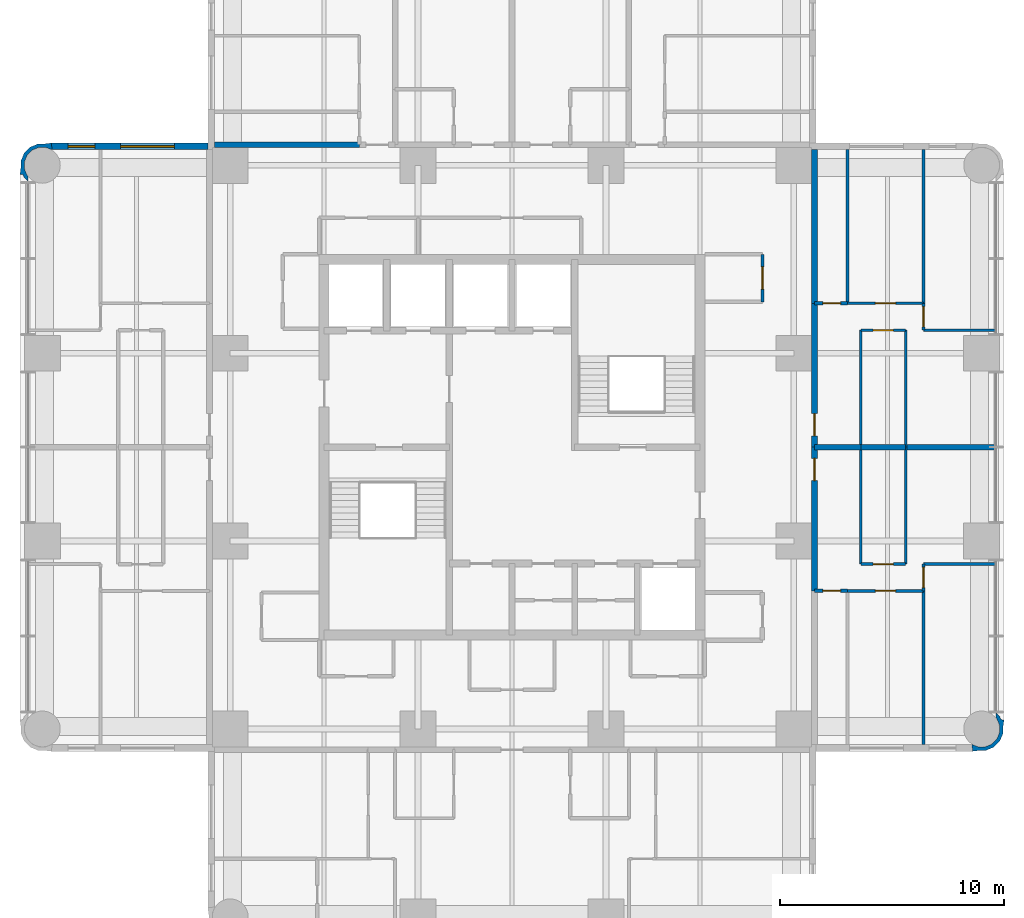
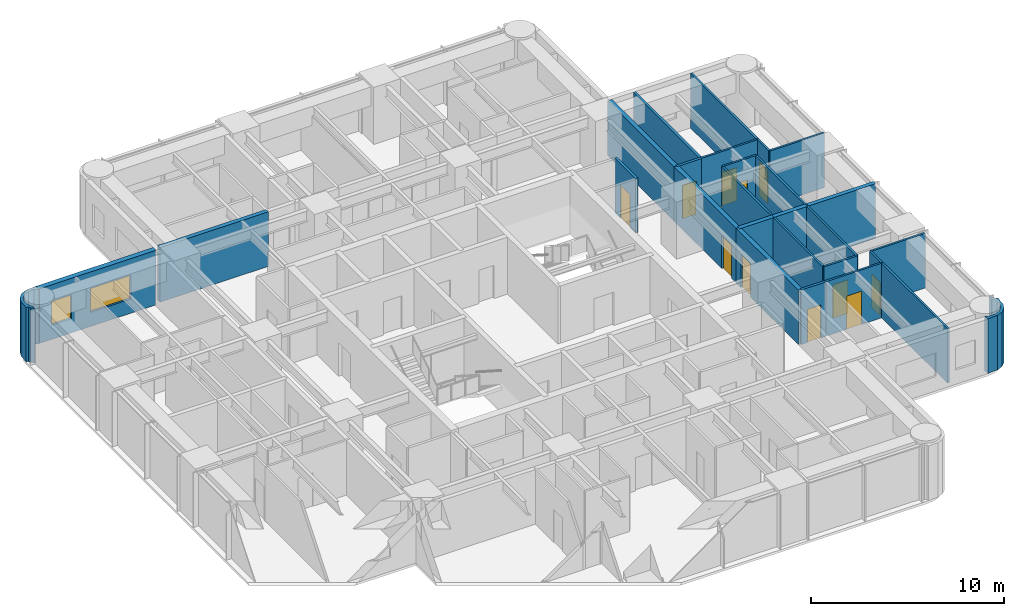
# One storey, part 7 of 10: 28 walls, 11 doors, 2 windows, 13 openings.
"""IFC4 building model written with IfcOpenShell, lengths in metres."""

from ifc_helpers import new_model, si_unit, direction, frame, frame_2d, origin, place, context, subcontext, project, spatial, polyline, rectangle, outline, extrude, material, layer, layer_set, type_object, element, fill, save


model = new_model("IFC4")

# Units and contexts
model_context = context("Model", 3, precision=1e-05, world=origin(), true_north=direction((0.0, 1.0)))
body_context = subcontext(model_context, "Body", "Model", "MODEL_VIEW")
ifc_project = project(units=[si_unit("LENGTHUNIT", "METRE"), si_unit("AREAUNIT", "SQUARE_METRE"), si_unit("VOLUMEUNIT", "CUBIC_METRE"), si_unit("PLANEANGLEUNIT", "RADIAN"), si_unit("MASSUNIT", "GRAM", prefix="KILO")], contexts=[model_context])

# Site, building, storey
site_placement = place(None, origin())
site = spatial("IfcSite", under=ifc_project, at=site_placement, CompositionType="ELEMENT")
building_placement = place(site_placement, origin())
building = spatial("IfcBuilding", under=site, at=building_placement, Name="Torre Alcanfor", CompositionType="ELEMENT")
storey_placement = place(building_placement, frame((0.0, 0.0, 257.699951171875)))
storey = spatial("IfcBuildingStorey", under=building, at=storey_placement, Name="L67", CompositionType="ELEMENT", Elevation=257.699951171875)

# Wall
ifc_material_1 = material(Name="Concrete block masonry, hollow blocks NMX-C-404 9 MPa", Category="masonry")
ifc_layer_1 = layer(ifc_material_1, 0.25)
ifc_layer_set_1 = layer_set([ifc_layer_1], Name="Apartment entrance wall 250 EI 60")
wall_type_1 = type_object("IfcWallType", Name="Apartment entrance wall 250 EI 60", PredefinedType="PARTITIONING", material=ifc_layer_set_1)
wall_1_placement = place(storey_placement, frame((16.10009765625, 42.925048828125, 0.0), z_axis=(0.0, 0.0, 1.0), x_axis=(1.0, 0.0, 0.0)))
element("IfcWall", 1, at=wall_1_placement, inside=storey, type_object=wall_type_1, Name="Partition L67-CORR / L67-N1B-BATH", PredefinedType="PARTITIONING", context=body_context, shape_type="SweptSolid", body=[
    extrude(rectangle(XDim=6.470947265625, YDim=0.25, at=frame_2d((3.2353515625, 0.0))), origin(), (0.0, 0.0, 1.0), 3.449951171875),
])

# Wall, opening, door
wall_2_placement = place(storey_placement, frame((42.925048828125, 35.8291015625, 0.0), z_axis=(0.0, 0.0, 1.0), x_axis=(0.0, -1.0, 0.0)))
wall_2 = element("IfcWall", 2, at=wall_2_placement, inside=storey, type_object=wall_type_1, Name="Partition L67-CORR / L67-E1-LIVING", PredefinedType="PARTITIONING", context=body_context, shape_type="SweptSolid", body=[
    extrude(rectangle(XDim=6.42919921875, YDim=0.25, at=frame_2d((3.214599609375, 0.0))), origin(), (0.0, 0.0, 1.0), 3.449951171875),
])
opening_1_placement = place(wall_2_placement, frame((4.928955078125, 0.0, 0.0)))
opening_1 = element("IfcOpeningElement", 3, at=opening_1_placement, cuts=wall_2, Name="Opening D-A1", PredefinedType="OPENING", context=body_context, shape_type="SweptSolid", body=[
    extrude(rectangle(XDim=1.0, YDim=2.10009765625, at=frame_2d((0.5, 1.050048828125))), frame((0.0, 0.135009765625, 0.0), z_axis=(0.0, -1.0, 0.0), x_axis=(1.0, 0.0, 0.0)), (0.0, 0.0, 1.0), 0.27001953125),
])
ifc_material_2 = material(Name="Galvanised steel sheet ASTM A653", Category="steel")
door_type_1 = type_object("IfcDoorType", Name="Apartment entrance door FD60 1000x2100", OperationType="SINGLE_SWING_LEFT", PredefinedType="DOOR", material=ifc_material_2)
door_1_placement = place(opening_1_placement, origin())
door_1 = element("IfcDoor", 4, at=door_1_placement, inside=storey, type_object=door_type_1, Name="Apartment entrance L67-E1", OperationType="SINGLE_SWING_RIGHT", OverallHeight=2.10009765625, OverallWidth=1.0, PredefinedType="DOOR", context=body_context, shape_type="SweptSolid", body=[
    extrude(rectangle(XDim=1.0, YDim=2.10009765625, at=frame_2d((0.5, 1.050048828125))), frame((0.0, 0.02490234375, 0.0), z_axis=(0.0, -1.0, 0.0), x_axis=(1.0, 0.0, 0.0)), (0.0, 0.0, 1.0), 0.050048828125),
])
fill(opening_1, door_1)

# Wall
wall_3_placement = place(storey_placement, frame((42.925048828125, 42.699951171875, 0.0), z_axis=(0.0, 0.0, 1.0), x_axis=(0.0, -1.0, 0.0)))
element("IfcWall", 5, at=wall_3_placement, inside=storey, type_object=wall_type_1, Name="Partition L67-CORR / L67-E1-BATH", PredefinedType="PARTITIONING", context=body_context, shape_type="SweptSolid", body=[
    extrude(rectangle(XDim=6.870849609375, YDim=0.25, at=frame_2d((3.435546875, 0.0))), origin(), (0.0, 0.0, 1.0), 3.449951171875),
])

# Wall, opening, door
wall_4_placement = place(storey_placement, frame((42.925048828125, 29.39990234375, 0.0), z_axis=(0.0, 0.0, 1.0), x_axis=(0.0, -1.0, 0.0)))
wall_4 = element("IfcWall", 6, at=wall_4_placement, inside=storey, type_object=wall_type_1, Name="Partition L67-CORR / L67-E2-LIVING", PredefinedType="PARTITIONING", context=body_context, shape_type="SweptSolid", body=[
    extrude(rectangle(XDim=6.428955078125, YDim=0.25, at=frame_2d((3.21435546875, 0.0))), origin(), (0.0, 0.0, 1.0), 3.449951171875),
])
opening_2_placement = place(wall_4_placement, frame((0.5, 0.0, 0.0)))
opening_2 = element("IfcOpeningElement", 7, at=opening_2_placement, cuts=wall_4, Name="Opening D-A1", PredefinedType="OPENING", context=body_context, shape_type="SweptSolid", body=[
    extrude(rectangle(XDim=1.0, YDim=2.10009765625, at=frame_2d((0.5, 1.050048828125))), frame((0.0, 0.135009765625, 0.0), z_axis=(0.0, -1.0, 0.0), x_axis=(1.0, 0.0, 0.0)), (0.0, 0.0, 1.0), 0.27001953125),
])
door_2_placement = place(opening_2_placement, origin())
door_2 = element("IfcDoor", 8, at=door_2_placement, inside=storey, type_object=door_type_1, Name="Apartment entrance L67-E2", OperationType="SINGLE_SWING_LEFT", OverallHeight=2.10009765625, OverallWidth=1.0, PredefinedType="DOOR", context=body_context, shape_type="SweptSolid", body=[
    extrude(rectangle(XDim=1.0, YDim=2.10009765625, at=frame_2d((0.5, 1.050048828125))), frame((0.0, 0.02490234375, 0.0), z_axis=(0.0, -1.0, 0.0), x_axis=(1.0, 0.0, 0.0)), (0.0, 0.0, 1.0), 0.050048828125),
])
fill(opening_2, door_2)

# Wall
ifc_material_3 = material(Name="Gypsum board on steel studs", Category="steel")
ifc_layer_2 = layer(ifc_material_3, 0.1201171875)
ifc_layer_set_2 = layer_set([ifc_layer_2], Name="Apartment partition 120")
wall_type_2 = type_object("IfcWallType", Name="Apartment partition 120", PredefinedType="PARTITIONING", material=ifc_layer_set_2)
wall_5_placement = place(storey_placement, frame((47.0, 29.39990234375, 0.0), z_axis=(0.0, 0.0, 1.0), x_axis=(0.0, 1.0, 0.0)))
element("IfcWall", 9, at=wall_5_placement, inside=storey, type_object=wall_type_2, Name="Partition L67-E1-KITCHEN / L67-E1-LIVING", PredefinedType="PARTITIONING", context=body_context, shape_type="SweptSolid", body=[
    extrude(rectangle(XDim=5.22900390625, YDim=0.1201171875, at=frame_2d((2.614501953125, 0.0))), origin(), (0.0, 0.0, 1.0), 3.449951171875),
])

# Wall, opening, door
wall_6_placement = place(storey_placement, frame((47.0, 34.62890625, 0.0), z_axis=(0.0, 0.0, 1.0), x_axis=(-1.0, 0.0, 0.0)))
wall_6 = element("IfcWall", 10, at=wall_6_placement, inside=storey, type_object=wall_type_2, Name="Partition L67-E1-KITCHEN / L67-E1-LIVING", PredefinedType="PARTITIONING", context=body_context, shape_type="SweptSolid", body=[
    extrude(rectangle(XDim=2.0, YDim=0.1201171875, at=frame_2d((1.0, 0.0))), origin(), (0.0, 0.0, 1.0), 3.449951171875),
])
opening_3_placement = place(wall_6_placement, frame((0.550048828125, 0.0, 0.0)))
opening_3 = element("IfcOpeningElement", 11, at=opening_3_placement, cuts=wall_6, Name="Opening D-R1", PredefinedType="OPENING", context=body_context, shape_type="SweptSolid", body=[
    extrude(rectangle(XDim=0.89990234375, YDim=2.10009765625, at=frame_2d((0.449951171875, 1.050048828125))), frame((0.0, 0.070068359375, 0.0), z_axis=(0.0, -1.0, 0.0), x_axis=(1.0, 0.0, 0.0)), (0.0, 0.0, 1.0), 0.14013671875),
])
ifc_material_4 = material(Name="Timber", Category="wood")
door_type_2 = type_object("IfcDoorType", Name="Internal door 900x2100", OperationType="SINGLE_SWING_LEFT", PredefinedType="DOOR", material=ifc_material_4)
door_3_placement = place(opening_3_placement, origin())
door_3 = element("IfcDoor", 12, at=door_3_placement, inside=storey, type_object=door_type_2, Name="Door L67-E1 kitchen", OperationType="SINGLE_SWING_LEFT", OverallHeight=2.10009765625, OverallWidth=0.89990234375, PredefinedType="DOOR", context=body_context, shape_type="SweptSolid", body=[
    extrude(rectangle(XDim=0.89990234375, YDim=2.10009765625, at=frame_2d((0.449951171875, 1.050048828125))), frame((0.0, 0.02490234375, 0.0), z_axis=(0.0, -1.0, 0.0), x_axis=(1.0, 0.0, 0.0)), (0.0, 0.0, 1.0), 0.050048828125),
])
fill(opening_3, door_3)

# Wall
wall_7_placement = place(storey_placement, frame((45.0, 34.62890625, 0.0), z_axis=(0.0, 0.0, 1.0), x_axis=(0.0, -1.0, 0.0)))
element("IfcWall", 13, at=wall_7_placement, inside=storey, type_object=wall_type_2, Name="Partition L67-E1-KITCHEN / L67-E1-LIVING", PredefinedType="PARTITIONING", context=body_context, shape_type="SweptSolid", body=[
    extrude(rectangle(XDim=5.22900390625, YDim=0.1201171875, at=frame_2d((2.614501953125, 0.0))), origin(), (0.0, 0.0, 1.0), 3.449951171875),
])

# Wall, opening, door
wall_8_placement = place(storey_placement, frame((44.39990234375, 35.8291015625, 0.0), z_axis=(0.0, 0.0, 1.0), x_axis=(1.0, 0.0, 0.0)))
wall_8 = element("IfcWall", 14, at=wall_8_placement, inside=storey, type_object=wall_type_2, Name="Partition L67-E1-LIVING / L67-E1-STUDY", PredefinedType="PARTITIONING", context=body_context, shape_type="SweptSolid", body=[
    extrude(rectangle(XDim=3.400146484375, YDim=0.1201171875, at=frame_2d((1.7001953125, 0.0))), origin(), (0.0, 0.0, 1.0), 3.449951171875),
])
opening_4_placement = place(wall_8_placement, frame((1.25, 0.0, 0.0)))
opening_4 = element("IfcOpeningElement", 15, at=opening_4_placement, cuts=wall_8, Name="Opening D-R1", PredefinedType="OPENING", context=body_context, shape_type="SweptSolid", body=[
    extrude(rectangle(XDim=0.89990234375, YDim=2.10009765625, at=frame_2d((0.449951171875, 1.050048828125))), frame((0.0, 0.070068359375, 0.0), z_axis=(0.0, -1.0, 0.0), x_axis=(1.0, 0.0, 0.0)), (0.0, 0.0, 1.0), 0.14013671875),
])
door_4_placement = place(opening_4_placement, origin())
door_4 = element("IfcDoor", 16, at=door_4_placement, inside=storey, type_object=door_type_2, Name="Door L67-E1 study", OperationType="SINGLE_SWING_LEFT", OverallHeight=2.10009765625, OverallWidth=0.89990234375, PredefinedType="DOOR", context=body_context, shape_type="SweptSolid", body=[
    extrude(rectangle(XDim=0.89990234375, YDim=2.10009765625, at=frame_2d((0.449951171875, 1.050048828125))), frame((0.0, 0.02490234375, 0.0), z_axis=(0.0, -1.0, 0.0), x_axis=(1.0, 0.0, 0.0)), (0.0, 0.0, 1.0), 0.050048828125),
])
fill(opening_4, door_4)

wall_9_placement = place(storey_placement, frame((47.800048828125, 35.8291015625, 0.0), z_axis=(0.0, 0.0, 1.0), x_axis=(0.0, -1.0, 0.0)))
wall_9 = element("IfcWall", 17, at=wall_9_placement, inside=storey, type_object=wall_type_2, Name="Partition L67-E1-LIVING / L67-E1-MASTER", PredefinedType="PARTITIONING", context=body_context, shape_type="SweptSolid", body=[
    extrude(rectangle(XDim=1.2001953125, YDim=0.1201171875, at=frame_2d((0.60009765625, 0.0))), origin(), (0.0, 0.0, 1.0), 3.449951171875),
])
opening_5_placement = place(wall_9_placement, frame((0.14892578125, 0.0, 0.0)))
opening_5 = element("IfcOpeningElement", 18, at=opening_5_placement, cuts=wall_9, Name="Opening D-R1", PredefinedType="OPENING", context=body_context, shape_type="SweptSolid", body=[
    extrude(rectangle(XDim=0.89990234375, YDim=2.10009765625, at=frame_2d((0.449951171875, 1.050048828125))), frame((0.0, 0.070068359375, 0.0), z_axis=(0.0, -1.0, 0.0), x_axis=(1.0, 0.0, 0.0)), (0.0, 0.0, 1.0), 0.14013671875),
])
door_5_placement = place(opening_5_placement, origin())
door_5 = element("IfcDoor", 19, at=door_5_placement, inside=storey, type_object=door_type_2, Name="Door L67-E1 master", OperationType="SINGLE_SWING_RIGHT", OverallHeight=2.10009765625, OverallWidth=0.89990234375, PredefinedType="DOOR", context=body_context, shape_type="SweptSolid", body=[
    extrude(rectangle(XDim=0.89990234375, YDim=2.10009765625, at=frame_2d((0.449951171875, 1.050048828125))), frame((0.0, 0.02490234375, 0.0), z_axis=(0.0, -1.0, 0.0), x_axis=(1.0, 0.0, 0.0)), (0.0, 0.0, 1.0), 0.050048828125),
])
fill(opening_5, door_5)

# Walls
wall_10_placement = place(storey_placement, frame((47.800048828125, 34.62890625, 0.0), z_axis=(0.0, 0.0, 1.0), x_axis=(1.0, 0.0, 0.0)))
element("IfcWall", 20, at=wall_10_placement, inside=storey, type_object=wall_type_2, Name="Partition L67-E1-LIVING / L67-E1-MASTER", PredefinedType="PARTITIONING", context=body_context, shape_type="SweptSolid", body=[
    extrude(rectangle(XDim=3.25, YDim=0.1201171875, at=frame_2d((1.625, 0.0))), origin(), (0.0, 0.0, 1.0), 3.449951171875),
])
wall_11_placement = place(storey_placement, frame((47.800048828125, 35.8291015625, 0.0), z_axis=(0.0, 0.0, 1.0), x_axis=(0.0, 1.0, 0.0)))
element("IfcWall", 21, at=wall_11_placement, inside=storey, type_object=wall_type_2, Name="Partition L67-E1-STUDY / L67-E1-MASTER", PredefinedType="PARTITIONING", context=body_context, shape_type="SweptSolid", body=[
    extrude(rectangle(XDim=6.870849609375, YDim=0.1201171875, at=frame_2d((3.435546875, 0.0))), origin(), (0.0, 0.0, 1.0), 3.449951171875),
])
wall_12_placement = place(storey_placement, frame((47.0, 29.39990234375, 0.0), z_axis=(0.0, 0.0, 1.0), x_axis=(0.0, -1.0, 0.0)))
element("IfcWall", 22, at=wall_12_placement, inside=storey, type_object=wall_type_2, Name="Partition L67-E2-KITCHEN / L67-E2-LIVING", PredefinedType="PARTITIONING", context=body_context, shape_type="SweptSolid", body=[
    extrude(rectangle(XDim=5.22900390625, YDim=0.1201171875, at=frame_2d((2.614501953125, 0.0))), origin(), (0.0, 0.0, 1.0), 3.449951171875),
])

# Wall, opening, door
wall_13_placement = place(storey_placement, frame((47.0, 24.1708984375, 0.0), z_axis=(0.0, 0.0, 1.0), x_axis=(-1.0, 0.0, 0.0)))
wall_13 = element("IfcWall", 23, at=wall_13_placement, inside=storey, type_object=wall_type_2, Name="Partition L67-E2-KITCHEN / L67-E2-LIVING", PredefinedType="PARTITIONING", context=body_context, shape_type="SweptSolid", body=[
    extrude(rectangle(XDim=2.0, YDim=0.1201171875, at=frame_2d((1.0, 0.0))), origin(), (0.0, 0.0, 1.0), 3.449951171875),
])
opening_6_placement = place(wall_13_placement, frame((0.550048828125, 0.0, 0.0)))
opening_6 = element("IfcOpeningElement", 24, at=opening_6_placement, cuts=wall_13, Name="Opening D-R1", PredefinedType="OPENING", context=body_context, shape_type="SweptSolid", body=[
    extrude(rectangle(XDim=0.89990234375, YDim=2.10009765625, at=frame_2d((0.449951171875, 1.050048828125))), frame((0.0, 0.070068359375, 0.0), z_axis=(0.0, -1.0, 0.0), x_axis=(1.0, 0.0, 0.0)), (0.0, 0.0, 1.0), 0.14013671875),
])
door_6_placement = place(opening_6_placement, frame((0.89990234375, 0.0, 0.0), z_axis=(0.0, 0.0, 1.0), x_axis=(-1.0, 0.0, 0.0)))
door_6 = element("IfcDoor", 25, at=door_6_placement, inside=storey, type_object=door_type_2, Name="Door L67-E2 kitchen", OperationType="SINGLE_SWING_RIGHT", OverallHeight=2.10009765625, OverallWidth=0.89990234375, PredefinedType="DOOR", context=body_context, shape_type="SweptSolid", body=[
    extrude(rectangle(XDim=0.89990234375, YDim=2.10009765625, at=frame_2d((0.449951171875, 1.050048828125))), frame((0.0, 0.025146484375, 0.0), z_axis=(0.0, -1.0, 0.0), x_axis=(1.0, 0.0, 0.0)), (0.0, 0.0, 1.0), 0.050048828125),
])
fill(opening_6, door_6)

# Wall
wall_14_placement = place(storey_placement, frame((45.0, 24.1708984375, 0.0), z_axis=(0.0, 0.0, 1.0), x_axis=(0.0, 1.0, 0.0)))
element("IfcWall", 26, at=wall_14_placement, inside=storey, type_object=wall_type_2, Name="Partition L67-E2-KITCHEN / L67-E2-LIVING", PredefinedType="PARTITIONING", context=body_context, shape_type="SweptSolid", body=[
    extrude(rectangle(XDim=5.22900390625, YDim=0.1201171875, at=frame_2d((2.614501953125, 0.0))), origin(), (0.0, 0.0, 1.0), 3.449951171875),
])

# Wall, opening, door
wall_15_placement = place(storey_placement, frame((47.800048828125, 22.970947265625, 0.0), z_axis=(0.0, 0.0, 1.0), x_axis=(-1.0, 0.0, 0.0)))
wall_15 = element("IfcWall", 27, at=wall_15_placement, inside=storey, type_object=wall_type_2, Name="Partition L67-E2-LIVING / L67-E2-STUDY", PredefinedType="PARTITIONING", context=body_context, shape_type="SweptSolid", body=[
    extrude(rectangle(XDim=3.400146484375, YDim=0.1201171875, at=frame_2d((1.7001953125, 0.0))), origin(), (0.0, 0.0, 1.0), 3.449951171875),
])
opening_7_placement = place(wall_15_placement, frame((1.25, 0.0, 0.0)))
opening_7 = element("IfcOpeningElement", 28, at=opening_7_placement, cuts=wall_15, Name="Opening D-R1", PredefinedType="OPENING", context=body_context, shape_type="SweptSolid", body=[
    extrude(rectangle(XDim=0.89990234375, YDim=2.10009765625, at=frame_2d((0.449951171875, 1.050048828125))), frame((0.0, 0.070068359375, 0.0), z_axis=(0.0, -1.0, 0.0), x_axis=(1.0, 0.0, 0.0)), (0.0, 0.0, 1.0), 0.14013671875),
])
door_7_placement = place(opening_7_placement, origin())
door_7 = element("IfcDoor", 29, at=door_7_placement, inside=storey, type_object=door_type_2, Name="Door L67-E2 study", OperationType="SINGLE_SWING_LEFT", OverallHeight=2.10009765625, OverallWidth=0.89990234375, PredefinedType="DOOR", context=body_context, shape_type="SweptSolid", body=[
    extrude(rectangle(XDim=0.89990234375, YDim=2.10009765625, at=frame_2d((0.449951171875, 1.050048828125))), frame((0.0, 0.02490234375, 0.0), z_axis=(0.0, -1.0, 0.0), x_axis=(1.0, 0.0, 0.0)), (0.0, 0.0, 1.0), 0.050048828125),
])
fill(opening_7, door_7)

# Wall
wall_16_placement = place(storey_placement, frame((51.050048828125, 24.1708984375, 0.0), z_axis=(0.0, 0.0, 1.0), x_axis=(-1.0, 0.0, 0.0)))
element("IfcWall", 30, at=wall_16_placement, inside=storey, type_object=wall_type_2, Name="Partition L67-E2-LIVING / L67-E2-MASTER", PredefinedType="PARTITIONING", context=body_context, shape_type="SweptSolid", body=[
    extrude(rectangle(XDim=3.25, YDim=0.1201171875, at=frame_2d((1.625, 0.0))), origin(), (0.0, 0.0, 1.0), 3.449951171875),
])

# Wall, opening, door
wall_17_placement = place(storey_placement, frame((47.800048828125, 24.1708984375, 0.0), z_axis=(0.0, 0.0, 1.0), x_axis=(0.0, -1.0, 0.0)))
wall_17 = element("IfcWall", 31, at=wall_17_placement, inside=storey, type_object=wall_type_2, Name="Partition L67-E2-LIVING / L67-E2-MASTER", PredefinedType="PARTITIONING", context=body_context, shape_type="SweptSolid", body=[
    extrude(rectangle(XDim=1.199951171875, YDim=0.1201171875, at=frame_2d((0.60009765625, 0.0))), origin(), (0.0, 0.0, 1.0), 3.449951171875),
])
opening_8_placement = place(wall_17_placement, frame((0.15087890625, 0.0, 0.0)))
opening_8 = element("IfcOpeningElement", 32, at=opening_8_placement, cuts=wall_17, Name="Opening D-R1", PredefinedType="OPENING", context=body_context, shape_type="SweptSolid", body=[
    extrude(rectangle(XDim=0.89990234375, YDim=2.10009765625, at=frame_2d((0.449951171875, 1.050048828125))), frame((0.0, 0.070068359375, 0.0), z_axis=(0.0, -1.0, 0.0), x_axis=(1.0, 0.0, 0.0)), (0.0, 0.0, 1.0), 0.14013671875),
])
door_8_placement = place(opening_8_placement, origin())
door_8 = element("IfcDoor", 33, at=door_8_placement, inside=storey, type_object=door_type_2, Name="Door L67-E2 master", OperationType="SINGLE_SWING_LEFT", OverallHeight=2.10009765625, OverallWidth=0.89990234375, PredefinedType="DOOR", context=body_context, shape_type="SweptSolid", body=[
    extrude(rectangle(XDim=0.89990234375, YDim=2.10009765625, at=frame_2d((0.449951171875, 1.050048828125))), frame((0.0, 0.02490234375, 0.0), z_axis=(0.0, -1.0, 0.0), x_axis=(1.0, 0.0, 0.0)), (0.0, 0.0, 1.0), 0.050048828125),
])
fill(opening_8, door_8)

# Wall
wall_18_placement = place(storey_placement, frame((47.800048828125, 22.970947265625, 0.0), z_axis=(0.0, 0.0, 1.0), x_axis=(0.0, -1.0, 0.0)))
element("IfcWall", 34, at=wall_18_placement, inside=storey, type_object=wall_type_2, Name="Partition L67-E2-STUDY / L67-E2-MASTER", PredefinedType="PARTITIONING", context=body_context, shape_type="SweptSolid", body=[
    extrude(rectangle(XDim=6.870849609375, YDim=0.1201171875, at=frame_2d((3.435546875, 0.0))), origin(), (0.0, 0.0, 1.0), 3.449951171875),
])

# Wall, openings, windows
ifc_material_5 = material(Name="Limestone cladding", Category="masonry")
ifc_layer_3 = layer(ifc_material_5, 0.0400390625, Name="Facing")
ifc_material_6 = material(Name="Ventilated air cavity")
ifc_layer_4 = layer(ifc_material_6, 0.02001953125, ventilated=True, Name="Ventilated joint")
ifc_material_7 = material(Name="Mineral wool insulation", Category="insulation")
ifc_layer_5 = layer(ifc_material_7, 0.10009765625, Name="Insulation")
ifc_material_8 = material(Name="Concrete f'c 35 MPa", Category="concrete")
ifc_layer_6 = layer(ifc_material_8, 0.139892578125, Name="Backing")
ifc_layer_set_3 = layer_set([ifc_layer_3, ifc_layer_4, ifc_layer_5, ifc_layer_6], Name="External wall stone-clad 300")
wall_type_3 = type_object("IfcWallType", Name="External wall stone-clad 300", PredefinedType="SOLIDWALL", material=ifc_layer_set_3)
wall_19_placement = place(storey_placement, frame((15.800048828125, 42.85009765625, 0.0), z_axis=(0.0, 0.0, 1.0), x_axis=(-1.0, 0.0, 0.0)))
wall_19 = element("IfcWall", 35, at=wall_19_placement, inside=storey, type_object=wall_type_3, Name="External wall L67 1", PredefinedType="SOLIDWALL", context=body_context, shape_type="SweptSolid", body=[
    extrude(rectangle(XDim=7.0, YDim=0.300048828125, at=frame_2d((3.5, 0.0))), origin(), (0.0, 0.0, 1.0), 3.449951171875),
])
opening_9_placement = place(wall_19_placement, frame((1.5, 0.0, 0.89990234375)))
opening_9 = element("IfcOpeningElement", 36, at=opening_9_placement, cuts=wall_19, Name="Opening W1", PredefinedType="OPENING", context=body_context, shape_type="SweptSolid", body=[
    extrude(rectangle(XDim=2.39990234375, YDim=1.5, at=frame_2d((1.199951171875, 0.75))), frame((0.0, 0.159912109375, 0.0), z_axis=(0.0, -1.0, 0.0), x_axis=(1.0, 0.0, 0.0)), (0.0, 0.0, 1.0), 0.320068359375),
])
opening_10_placement = place(wall_19_placement, frame((5.050048828125, 0.0, 0.89990234375)))
opening_10 = element("IfcOpeningElement", 37, at=opening_10_placement, cuts=wall_19, Name="Opening W4", PredefinedType="OPENING", context=body_context, shape_type="SweptSolid", body=[
    extrude(rectangle(XDim=1.199951171875, YDim=1.5, at=frame_2d((0.60009765625, 0.75))), frame((0.0, 0.159912109375, 0.0), z_axis=(0.0, -1.0, 0.0), x_axis=(1.0, 0.0, 0.0)), (0.0, 0.0, 1.0), 0.320068359375),
])
ifc_material_9 = material(Name="Aluminium frame with clear double glazing", Category="aluminium")
window_type_1 = type_object("IfcWindowType", Name="Window bedroom 1200x1500", PartitioningType="SINGLE_PANEL", PredefinedType="WINDOW", material=ifc_material_9)
window_1_placement = place(opening_10_placement, origin())
window_1 = element("IfcWindow", 38, at=window_1_placement, inside=storey, type_object=window_type_1, Name="Window W4 L67-W2", OverallHeight=1.5, OverallWidth=1.199951171875, PartitioningType="SINGLE_PANEL", PredefinedType="WINDOW", context=body_context, shape_type="SweptSolid", body=[
    extrude(rectangle(XDim=1.199951171875, YDim=1.5, at=frame_2d((0.60009765625, 0.75))), frame((0.0, 0.030029296875, 0.0), z_axis=(0.0, -1.0, 0.0), x_axis=(1.0, 0.0, 0.0)), (0.0, 0.0, 1.0), 0.06005859375),
])
fill(opening_10, window_1)
ifc_material_10 = material(Name="Aluminium frame with clear double glazing", Category="aluminium")
window_type_2 = type_object("IfcWindowType", Name="Window bedroom 2400x1500", PartitioningType="SINGLE_PANEL", PredefinedType="WINDOW", material=ifc_material_10)
window_2_placement = place(opening_9_placement, origin())
window_2 = element("IfcWindow", 39, at=window_2_placement, inside=storey, type_object=window_type_2, Name="Window W1 L67-W2", OverallHeight=1.5, OverallWidth=2.39990234375, PartitioningType="SINGLE_PANEL", PredefinedType="WINDOW", context=body_context, shape_type="SweptSolid", body=[
    extrude(rectangle(XDim=2.39990234375, YDim=1.5, at=frame_2d((1.199951171875, 0.75))), frame((0.0, 0.030029296875, 0.0), z_axis=(0.0, -1.0, 0.0), x_axis=(1.0, 0.0, 0.0)), (0.0, 0.0, 1.0), 0.06005859375),
])
fill(opening_9, window_2)

# Walls
ifc_material_11 = material(Name="Concrete block masonry, hollow blocks NMX-C-404 9 MPa", Category="masonry")
ifc_layer_7 = layer(ifc_material_11, 0.25)
ifc_layer_set_4 = layer_set([ifc_layer_7], Name="Party wall 250 EI 60")
wall_type_4 = type_object("IfcWallType", Name="Party wall 250 EI 60", PredefinedType="PARTITIONING", material=ifc_layer_set_4)
wall_20_placement = place(storey_placement, frame((45.0, 29.39990234375, 0.0), z_axis=(0.0, 0.0, 1.0), x_axis=(1.0, 0.0, 0.0)))
element("IfcWall", 40, at=wall_20_placement, inside=storey, type_object=wall_type_4, Name="Partition L67-E1-KITCHEN / L67-E2-KITCHEN", PredefinedType="PARTITIONING", context=body_context, shape_type="SweptSolid", body=[
    extrude(rectangle(XDim=2.0, YDim=0.25, at=frame_2d((1.0, 0.0))), origin(), (0.0, 0.0, 1.0), 3.449951171875),
])
wall_21_placement = place(storey_placement, frame((45.0, 29.39990234375, 0.0), z_axis=(0.0, 0.0, 1.0), x_axis=(-1.0, 0.0, 0.0)))
element("IfcWall", 41, at=wall_21_placement, inside=storey, type_object=wall_type_4, Name="Partition L67-E1-LIVING / L67-E2-LIVING", PredefinedType="PARTITIONING", context=body_context, shape_type="SweptSolid", body=[
    extrude(rectangle(XDim=2.074951171875, YDim=0.25, at=frame_2d((1.03759765625, 0.0))), origin(), (0.0, 0.0, 1.0), 3.449951171875),
])
wall_22_placement = place(storey_placement, frame((51.050048828125, 29.39990234375, 0.0), z_axis=(0.0, 0.0, 1.0), x_axis=(-1.0, 0.0, 0.0)))
element("IfcWall", 42, at=wall_22_placement, inside=storey, type_object=wall_type_4, Name="Partition L67-E1-LIVING / L67-E2-LIVING", PredefinedType="PARTITIONING", context=body_context, shape_type="SweptSolid", body=[
    extrude(rectangle(XDim=4.050048828125, YDim=0.25, at=frame_2d((2.02490234375, 0.0))), origin(), (0.0, 0.0, 1.0), 3.449951171875),
])

# Wall, opening, door
ifc_material_12 = material(Name="Concrete block masonry, hollow blocks NMX-C-404 9 MPa", Category="masonry")
ifc_layer_8 = layer(ifc_material_12, 0.14990234375)
ifc_layer_set_5 = layer_set([ifc_layer_8], Name="Residents' room partition 150")
wall_type_5 = type_object("IfcWallType", Name="Residents' room partition 150", PredefinedType="PARTITIONING", material=ifc_layer_set_5)
wall_23_placement = place(storey_placement, frame((40.60009765625, 35.89990234375, 0.0), z_axis=(0.0, 0.0, 1.0), x_axis=(0.0, 1.0, 0.0)))
wall_23 = element("IfcWall", 43, at=wall_23_placement, inside=storey, type_object=wall_type_5, Name="Partition L67-CORR / L67-G04", PredefinedType="PARTITIONING", context=body_context, shape_type="SweptSolid", body=[
    extrude(rectangle(XDim=2.125, YDim=0.14990234375, at=frame_2d((1.0625, 0.0))), origin(), (0.0, 0.0, 1.0), 3.449951171875),
])
opening_11_placement = place(wall_23_placement, frame((0.5625, 0.0, 0.0)))
opening_11 = element("IfcOpeningElement", 44, at=opening_11_placement, cuts=wall_23, Name="Opening D-M1", PredefinedType="OPENING", context=body_context, shape_type="SweptSolid", body=[
    extrude(rectangle(XDim=1.0, YDim=2.10009765625, at=frame_2d((0.5, 1.050048828125))), frame((0.0, 0.0849609375, 0.0), z_axis=(0.0, -1.0, 0.0), x_axis=(1.0, 0.0, 0.0)), (0.0, 0.0, 1.0), 0.169921875),
])
ifc_material_13 = material(Name="Timber", Category="wood")
door_type_3 = type_object("IfcDoorType", Name="Residents' room door 1000x2100", OperationType="SINGLE_SWING_LEFT", PredefinedType="DOOR", material=ifc_material_13)
door_9_placement = place(opening_11_placement, origin())
door_9 = element("IfcDoor", 45, at=door_9_placement, inside=storey, type_object=door_type_3, Name="Door L67-G04 residents' storage", OperationType="SINGLE_SWING_LEFT", OverallHeight=2.10009765625, OverallWidth=1.0, PredefinedType="DOOR", context=body_context, shape_type="SweptSolid", body=[
    extrude(rectangle(XDim=1.0, YDim=2.10009765625, at=frame_2d((0.5, 1.050048828125))), frame((0.0, 0.02490234375, 0.0), z_axis=(0.0, -1.0, 0.0), x_axis=(1.0, 0.0, 0.0)), (0.0, 0.0, 1.0), 0.050048828125),
])
fill(opening_11, door_9)

# Walls
ifc_layer_9 = layer(ifc_material_5, 0.0400390625, Name="Facing")
ifc_layer_10 = layer(ifc_material_6, 0.02001953125, ventilated=True, Name="Ventilated joint")
ifc_layer_11 = layer(ifc_material_7, 0.10009765625, Name="Insulation")
ifc_layer_12 = layer(ifc_material_8, 0.139892578125, Name="Backing")
ifc_layer_set_6 = layer_set([ifc_layer_9, ifc_layer_10, ifc_layer_11, ifc_layer_12], Name="Rounded corner pier stone-clad 300")
wall_type_6 = type_object("IfcWallType", Name="Rounded corner pier stone-clad 300", PredefinedType="SOLIDWALL", material=ifc_layer_set_6)
wall_24_placement = place(storey_placement, frame((8.726823795, 42.817059488, 0.0), z_axis=(0.0, 0.0, 1.0), x_axis=(-0.93923434088, 0.343276641956, 0.0)))
element("IfcWall", 46, at=wall_24_placement, inside=storey, type_object=wall_type_6, Name="Corner pier L67 13", PredefinedType="SOLIDWALL", context=body_context, shape_type="SweptSolid", body=[
    extrude(outline(polyline([(-0.1273204359478541, 0.07815108671570803), (-0.14612346718616526, 0.07127884925467534), (-0.005976261085975126, -0.196960454686753), (0.26576431145168383, -0.05501371368591472), (0.5354272960401464, 0.04354422843816394), (0.8165725387255249, 0.3020003118886595), (0.9774927572336956, 0.6483033262968827), (0.9937443740697459, 1.0298502821324707), (0.8951864319456673, 1.2995132667209333), (0.8285356236719887, 1.5985134838437192), (0.696612876757023, 1.5690129946126392), (0.604212932216139, 1.669628949899784), (0.39411408712760576, 1.7672577623943433), (0.47121723912943597, 1.5562969241108522), (0.5085614978206915, 1.5387534181262859), (0.7240569974051148, 1.3040313549513107), (0.8333423345903176, 1.0050172972103626), (0.8199911856889537, 0.6866550756681848), (0.6857808147259417, 0.39742244102510316), (0.45105875155096664, 0.18192694144068), (0.15181538855101462, 0.07255779648156209), (-0.11621252215606581, 0.08403041999840126), (-0.1273204359478541, 0.07815108671570803)])), origin(), (0.0, 0.0, 1.0), 3.449951171875),
])
wall_25_placement = place(storey_placement, frame((50.073176205, 15.982940512, 0.0), z_axis=(0.0, 0.0, 1.0), x_axis=(0.93923434088, -0.343276641956, 0.0)))
element("IfcWall", 47, at=wall_25_placement, inside=storey, type_object=wall_type_6, Name="Corner pier L67 17", PredefinedType="SOLIDWALL", context=body_context, shape_type="SweptSolid", body=[
    extrude(outline(polyline([(0.82833541791, 1.598492298676388), (0.6966419762540381, 1.569075617219223), (0.604242031713154, 1.6696915725063681), (0.3941431866246209, 1.7673203850009274), (0.47133014640036613, 1.5561302414584324), (0.5085905973177065, 1.5388160407328697), (0.7240860969021297, 1.3040939775578946), (0.8334552418612476, 1.0048506145579426), (0.8201040929598838, 0.6864883930157649), (0.6858099142229566, 0.3974850636316871), (0.4510878510479817, 0.1819895640472639), (0.15184448804802966, 0.072620419088146), (-0.11618342265905075, 0.08409304260498518), (-0.12752064170984284, 0.07812990154837691), (-0.14609436768915024, 0.07134147186125925), (-0.005947161588960068, -0.19689783208016906), (0.26556410568969513, -0.055034898853245834), (0.5354563955371614, 0.043606851044747874), (0.8166854459964551, 0.3018336292362396), (0.9776056645046255, 0.6481366436444629), (0.993857281340676, 1.0296835994800508), (0.8952155314426823, 1.299575889327517), (0.82833541791, 1.598492298676388)])), origin(), (0.0, 0.0, 1.0), 3.449951171875),
])

# Wall, opening, door
ifc_material_14 = material(Name="Cement board on steel studs", Category="steel")
ifc_layer_13 = layer(ifc_material_14, 0.14990234375)
ifc_layer_set_7 = layer_set([ifc_layer_13], Name="Wet area partition 150")
wall_type_7 = type_object("IfcWallType", Name="Wet area partition 150", PredefinedType="PARTITIONING", material=ifc_layer_set_7)
wall_26_placement = place(storey_placement, frame((42.925048828125, 35.8291015625, 0.0), z_axis=(0.0, 0.0, 1.0), x_axis=(1.0, 0.0, 0.0)))
wall_26 = element("IfcWall", 48, at=wall_26_placement, inside=storey, type_object=wall_type_7, Name="Partition L67-E1-LIVING / L67-E1-BATH", PredefinedType="PARTITIONING", context=body_context, shape_type="SweptSolid", body=[
    extrude(rectangle(XDim=1.474853515625, YDim=0.14990234375, at=frame_2d((0.7373046875, 0.0))), origin(), (0.0, 0.0, 1.0), 3.449951171875),
])
opening_12_placement = place(wall_26_placement, frame((0.375, 0.0, 0.0)))
opening_12 = element("IfcOpeningElement", 49, at=opening_12_placement, cuts=wall_26, Name="Opening D-R2", PredefinedType="OPENING", context=body_context, shape_type="SweptSolid", body=[
    extrude(rectangle(XDim=0.800048828125, YDim=2.10009765625, at=frame_2d((0.39990234375, 1.050048828125))), frame((0.0, 0.0849609375, 0.0), z_axis=(0.0, -1.0, 0.0), x_axis=(1.0, 0.0, 0.0)), (0.0, 0.0, 1.0), 0.169921875),
])
ifc_material_15 = material(Name="Timber", Category="wood")
door_type_4 = type_object("IfcDoorType", Name="Bathroom door 800x2100", OperationType="SINGLE_SWING_LEFT", PredefinedType="DOOR", material=ifc_material_15)
door_10_placement = place(opening_12_placement, origin())
door_10 = element("IfcDoor", 50, at=door_10_placement, inside=storey, type_object=door_type_4, Name="Door L67-E1 bath", OperationType="SINGLE_SWING_RIGHT", OverallHeight=2.10009765625, OverallWidth=0.800048828125, PredefinedType="DOOR", context=body_context, shape_type="SweptSolid", body=[
    extrude(rectangle(XDim=0.800048828125, YDim=2.10009765625, at=frame_2d((0.39990234375, 1.050048828125))), frame((0.0, 0.02490234375, 0.0), z_axis=(0.0, -1.0, 0.0), x_axis=(1.0, 0.0, 0.0)), (0.0, 0.0, 1.0), 0.050048828125),
])
fill(opening_12, door_10)

# Wall
wall_27_placement = place(storey_placement, frame((44.39990234375, 35.8291015625, 0.0), z_axis=(0.0, 0.0, 1.0), x_axis=(0.0, 1.0, 0.0)))
element("IfcWall", 51, at=wall_27_placement, inside=storey, type_object=wall_type_7, Name="Partition L67-E1-BATH / L67-E1-STUDY", PredefinedType="PARTITIONING", context=body_context, shape_type="SweptSolid", body=[
    extrude(rectangle(XDim=6.870849609375, YDim=0.14990234375, at=frame_2d((3.435546875, 0.0))), origin(), (0.0, 0.0, 1.0), 3.449951171875),
])

# Wall, opening, door
wall_28_placement = place(storey_placement, frame((44.39990234375, 22.970947265625, 0.0), z_axis=(0.0, 0.0, 1.0), x_axis=(-1.0, 0.0, 0.0)))
wall_28 = element("IfcWall", 52, at=wall_28_placement, inside=storey, type_object=wall_type_7, Name="Partition L67-E2-LIVING / L67-E2-BATH", PredefinedType="PARTITIONING", context=body_context, shape_type="SweptSolid", body=[
    extrude(rectangle(XDim=1.474853515625, YDim=0.14990234375, at=frame_2d((0.7373046875, 0.0))), origin(), (0.0, 0.0, 1.0), 3.449951171875),
])
opening_13_placement = place(wall_28_placement, frame((0.300048828125, 0.0, 0.0)))
opening_13 = element("IfcOpeningElement", 53, at=opening_13_placement, cuts=wall_28, Name="Opening D-R2", PredefinedType="OPENING", context=body_context, shape_type="SweptSolid", body=[
    extrude(rectangle(XDim=0.800048828125, YDim=2.10009765625, at=frame_2d((0.39990234375, 1.050048828125))), frame((0.0, 0.0849609375, 0.0), z_axis=(0.0, -1.0, 0.0), x_axis=(1.0, 0.0, 0.0)), (0.0, 0.0, 1.0), 0.169921875),
])
door_11_placement = place(opening_13_placement, origin())
door_11 = element("IfcDoor", 54, at=door_11_placement, inside=storey, type_object=door_type_4, Name="Door L67-E2 bath", OperationType="SINGLE_SWING_LEFT", OverallHeight=2.10009765625, OverallWidth=0.800048828125, PredefinedType="DOOR", context=body_context, shape_type="SweptSolid", body=[
    extrude(rectangle(XDim=0.800048828125, YDim=2.10009765625, at=frame_2d((0.39990234375, 1.050048828125))), frame((0.0, 0.02490234375, 0.0), z_axis=(0.0, -1.0, 0.0), x_axis=(1.0, 0.0, 0.0)), (0.0, 0.0, 1.0), 0.050048828125),
])
fill(opening_13, door_11)

save(model, "model.ifc")
